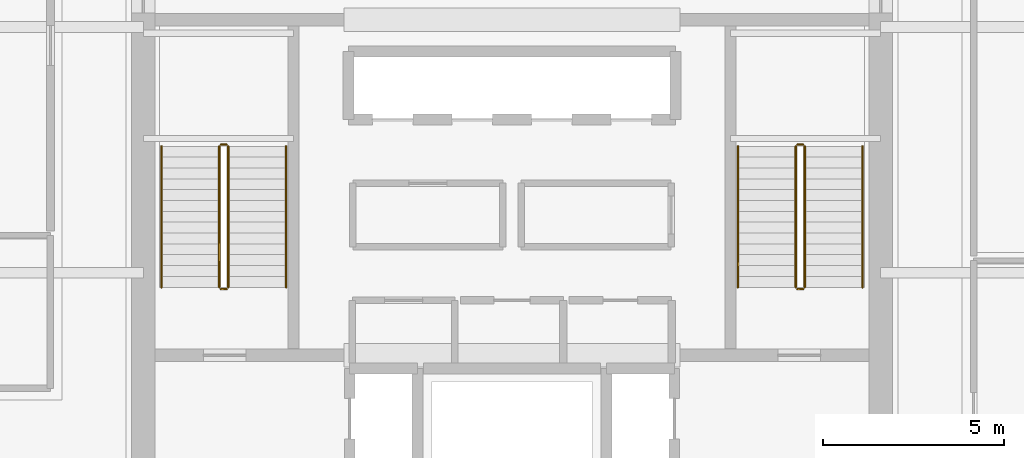
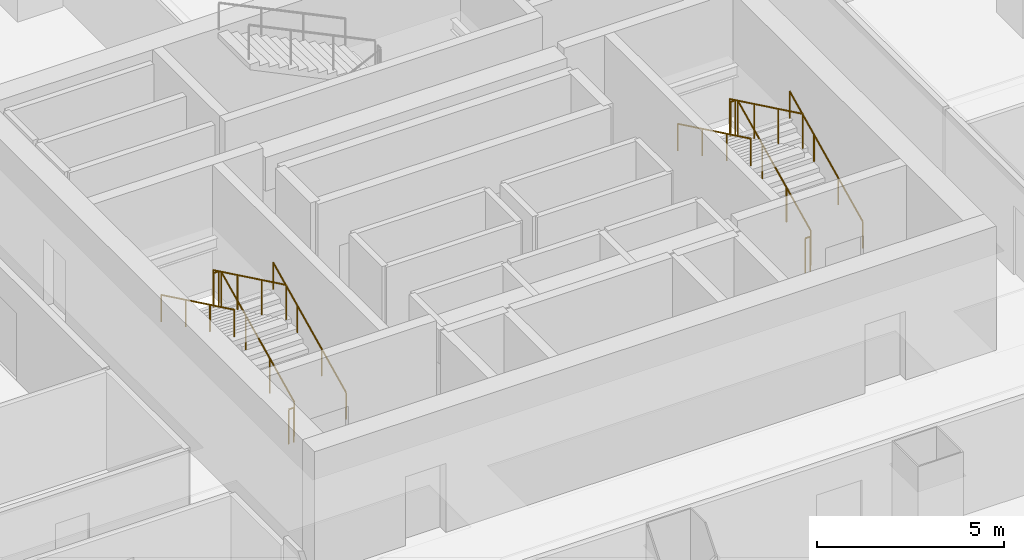
# One storey, part 34 of 37: 12 railings.
"""IFC4 building model written with IfcOpenShell, lengths in metres."""

from ifc_helpers import new_model, si_unit, direction, frame, origin, origin_2d, place, context, subcontext, project, spatial, circle, extrude, material, type_object, element, save


model = new_model("IFC4")

# Units and contexts
model_context = context("Model", 3, precision=1e-05, world=origin(), true_north=direction((0.0, 1.0)))
body_context = subcontext(model_context, "Body", "Model", "MODEL_VIEW")
ifc_project = project(units=[si_unit("LENGTHUNIT", "METRE"), si_unit("AREAUNIT", "SQUARE_METRE"), si_unit("VOLUMEUNIT", "CUBIC_METRE"), si_unit("PLANEANGLEUNIT", "RADIAN"), si_unit("MASSUNIT", "GRAM", prefix="KILO")], contexts=[model_context])

# Site, building, storey
site_placement = place(None, origin())
site = spatial("IfcSite", under=ifc_project, at=site_placement, CompositionType="ELEMENT")
building_placement = place(site_placement, origin())
building = spatial("IfcBuilding", under=site, at=building_placement, Name="Punatoya Terracotta Tower", CompositionType="ELEMENT")
storey_placement = place(building_placement, frame((0.0, 0.0, 224.85009765625)))
storey = spatial("IfcBuildingStorey", under=building, at=storey_placement, Name="L53", CompositionType="ELEMENT", Elevation=224.85009765625)

# Railings
ifc_material = material(Name="Steel S355", Category="steel")
railing_type_1 = type_object("IfcRailingType", Name="RLG-GRD-1150", PredefinedType="GUARDRAIL", material=ifc_material)
railing_1_placement = place(storey_placement, frame((-7.85009765625, -3.800048828125, 0.14453125)))
element("IfcRailing", 1, at=railing_1_placement, inside=storey, type_object=railing_type_1, Name="L53 ST-1 stair guard 1", PredefinedType="GUARDRAIL", context=body_context, shape_type="SweptSolid", body=[
    extrude(circle(Radius=0.02392578125, at=origin_2d()), frame((0.0, 0.0, 1.1259765625), z_axis=(0.0, 0.900773802044, 0.434288564841), x_axis=(-1.0, 0.0, 0.0)), (0.0, 0.0, 1.0), 4.329833984375),
    extrude(circle(Radius=0.02099609375, at=origin_2d()), origin(), (0.0, 0.0, 1.0), 1.101806640625),
    extrude(circle(Radius=0.02099609375, at=origin_2d()), frame((0.0, 1.300048828125, 0.626708984375)), (0.0, 0.0, 1.0), 1.101806640625),
    extrude(circle(Radius=0.02099609375, at=origin_2d()), frame((0.0, 2.60009765625, 1.253662109375)), (0.0, 0.0, 1.0), 1.101806640625),
    extrude(circle(Radius=0.02099609375, at=origin_2d()), frame((0.0, 3.900146484375, 1.88037109375)), (0.0, 0.0, 1.0), 1.101806640625),
])
railing_2_placement = place(storey_placement, frame((-7.89990234375, 0.14990234375, 2.02490234375)))
element("IfcRailing", 2, at=railing_2_placement, inside=storey, type_object=railing_type_1, Name="L53 ST-1 stair guard 2", PredefinedType="GUARDRAIL", context=body_context, shape_type="SweptSolid", body=[
    extrude(circle(Radius=0.02392578125, at=origin_2d()), frame((0.0, 0.0, 1.1259765625), z_axis=(-1.0, 0.0, 0.0), x_axis=(0.0, -1.0, 0.0)), (0.0, 0.0, 1.0), 0.150146484375),
    extrude(circle(Radius=0.02099609375, at=origin_2d()), origin(), (0.0, 0.0, 1.0), 1.101806640625),
    extrude(circle(Radius=0.02099609375, at=origin_2d()), frame((-0.150146484375, 0.0, 0.0)), (0.0, 0.0, 1.0), 1.101806640625),
])
railing_3_placement = place(storey_placement, frame((-8.10009765625, 0.10009765625, 2.16943359375)))
element("IfcRailing", 3, at=railing_3_placement, inside=storey, type_object=railing_type_1, Name="L53 ST-1 stair guard 3", PredefinedType="GUARDRAIL", context=body_context, shape_type="SweptSolid", body=[
    extrude(circle(Radius=0.02392578125, at=origin_2d()), frame((0.0, 0.0, 1.1259765625), z_axis=(0.0, -0.900773802044, 0.434288564841), x_axis=(1.0, 0.0, 0.0)), (0.0, 0.0, 1.0), 4.329833984375),
    extrude(circle(Radius=0.02099609375, at=origin_2d()), origin(), (0.0, 0.0, 1.0), 1.101806640625),
    extrude(circle(Radius=0.02099609375, at=origin_2d()), frame((0.0, -1.300048828125, 0.626708984375)), (0.0, 0.0, 1.0), 1.101806640625),
    extrude(circle(Radius=0.02099609375, at=origin_2d()), frame((0.0, -2.60009765625, 1.253662109375)), (0.0, 0.0, 1.0), 1.101806640625),
    extrude(circle(Radius=0.02099609375, at=origin_2d()), frame((0.0, -3.900146484375, 1.88037109375)), (0.0, 0.0, 1.0), 1.101806640625),
])
railing_4_placement = place(storey_placement, frame((-7.89990234375, -3.85009765625, 0.0)))
element("IfcRailing", 4, at=railing_4_placement, inside=storey, type_object=railing_type_1, Name="L53 ST-1 stair guard 4", PredefinedType="GUARDRAIL", context=body_context, shape_type="SweptSolid", body=[
    extrude(circle(Radius=0.02392578125, at=origin_2d()), frame((0.0, 0.0, 1.1259765625), z_axis=(-1.0, 0.0, 0.0), x_axis=(0.0, -1.0, 0.0)), (0.0, 0.0, 1.0), 0.150146484375),
    extrude(circle(Radius=0.02099609375, at=origin_2d()), origin(), (0.0, 0.0, 1.0), 1.101806640625),
    extrude(circle(Radius=0.02099609375, at=origin_2d()), frame((-0.150146484375, 0.0, 0.0)), (0.0, 0.0, 1.0), 1.101806640625),
])
railing_5_placement = place(storey_placement, frame((8.10009765625, -3.800048828125, 0.14453125)))
element("IfcRailing", 5, at=railing_5_placement, inside=storey, type_object=railing_type_1, Name="L53 ST-2 stair guard 1", PredefinedType="GUARDRAIL", context=body_context, shape_type="SweptSolid", body=[
    extrude(circle(Radius=0.02392578125, at=origin_2d()), frame((0.0, 0.0, 1.1259765625), z_axis=(0.0, 0.900773802044, 0.434288564841), x_axis=(-1.0, 0.0, 0.0)), (0.0, 0.0, 1.0), 4.329833984375),
    extrude(circle(Radius=0.02099609375, at=origin_2d()), origin(), (0.0, 0.0, 1.0), 1.101806640625),
    extrude(circle(Radius=0.02099609375, at=origin_2d()), frame((0.0, 1.300048828125, 0.626708984375)), (0.0, 0.0, 1.0), 1.101806640625),
    extrude(circle(Radius=0.02099609375, at=origin_2d()), frame((0.0, 2.60009765625, 1.253662109375)), (0.0, 0.0, 1.0), 1.101806640625),
    extrude(circle(Radius=0.02099609375, at=origin_2d()), frame((0.0, 3.900146484375, 1.88037109375)), (0.0, 0.0, 1.0), 1.101806640625),
])
railing_6_placement = place(storey_placement, frame((8.050048828125, 0.14990234375, 2.02490234375)))
element("IfcRailing", 6, at=railing_6_placement, inside=storey, type_object=railing_type_1, Name="L53 ST-2 stair guard 2", PredefinedType="GUARDRAIL", context=body_context, shape_type="SweptSolid", body=[
    extrude(circle(Radius=0.02392578125, at=origin_2d()), frame((0.0, 0.0, 1.1259765625), z_axis=(-1.0, 0.0, 0.0), x_axis=(0.0, -1.0, 0.0)), (0.0, 0.0, 1.0), 0.150146484375),
    extrude(circle(Radius=0.02099609375, at=origin_2d()), origin(), (0.0, 0.0, 1.0), 1.101806640625),
    extrude(circle(Radius=0.02099609375, at=origin_2d()), frame((-0.150146484375, 0.0, 0.0)), (0.0, 0.0, 1.0), 1.101806640625),
])
railing_7_placement = place(storey_placement, frame((7.85009765625, 0.10009765625, 2.16943359375)))
element("IfcRailing", 7, at=railing_7_placement, inside=storey, type_object=railing_type_1, Name="L53 ST-2 stair guard 3", PredefinedType="GUARDRAIL", context=body_context, shape_type="SweptSolid", body=[
    extrude(circle(Radius=0.02392578125, at=origin_2d()), frame((0.0, 0.0, 1.1259765625), z_axis=(0.0, -0.900773802044, 0.434288564841), x_axis=(1.0, 0.0, 0.0)), (0.0, 0.0, 1.0), 4.329833984375),
    extrude(circle(Radius=0.02099609375, at=origin_2d()), origin(), (0.0, 0.0, 1.0), 1.101806640625),
    extrude(circle(Radius=0.02099609375, at=origin_2d()), frame((0.0, -1.300048828125, 0.626708984375)), (0.0, 0.0, 1.0), 1.101806640625),
    extrude(circle(Radius=0.02099609375, at=origin_2d()), frame((0.0, -2.60009765625, 1.253662109375)), (0.0, 0.0, 1.0), 1.101806640625),
    extrude(circle(Radius=0.02099609375, at=origin_2d()), frame((0.0, -3.900146484375, 1.88037109375)), (0.0, 0.0, 1.0), 1.101806640625),
])
railing_8_placement = place(storey_placement, frame((8.050048828125, -3.85009765625, 0.0)))
element("IfcRailing", 8, at=railing_8_placement, inside=storey, type_object=railing_type_1, Name="L53 ST-2 stair guard 4", PredefinedType="GUARDRAIL", context=body_context, shape_type="SweptSolid", body=[
    extrude(circle(Radius=0.02392578125, at=origin_2d()), frame((0.0, 0.0, 1.1259765625), z_axis=(-1.0, 0.0, 0.0), x_axis=(0.0, -1.0, 0.0)), (0.0, 0.0, 1.0), 0.150146484375),
    extrude(circle(Radius=0.02099609375, at=origin_2d()), origin(), (0.0, 0.0, 1.0), 1.101806640625),
    extrude(circle(Radius=0.02099609375, at=origin_2d()), frame((-0.150146484375, 0.0, 0.0)), (0.0, 0.0, 1.0), 1.101806640625),
])
railing_type_2 = type_object("IfcRailingType", Name="RLG-HND-900", PredefinedType="HANDRAIL", material=ifc_material)
railing_9_placement = place(storey_placement, frame((-6.25, -3.800048828125, 0.14453125)))
element("IfcRailing", 9, at=railing_9_placement, inside=storey, type_object=railing_type_2, Name="L53 ST-1 stair handrail 1", PredefinedType="HANDRAIL", context=body_context, shape_type="SweptSolid", body=[
    extrude(circle(Radius=0.02392578125, at=origin_2d()), frame((0.0, 0.0, 0.8759765625), z_axis=(0.0, 0.900773802044, 0.434288564841), x_axis=(-1.0, 0.0, 0.0)), (0.0, 0.0, 1.0), 4.329833984375),
    extrude(circle(Radius=0.02099609375, at=origin_2d()), origin(), (0.0, 0.0, 1.0), 0.851806640625),
    extrude(circle(Radius=0.02099609375, at=origin_2d()), frame((0.0, 1.300048828125, 0.626708984375)), (0.0, 0.0, 1.0), 0.851806640625),
    extrude(circle(Radius=0.02099609375, at=origin_2d()), frame((0.0, 2.60009765625, 1.253662109375)), (0.0, 0.0, 1.0), 0.851806640625),
    extrude(circle(Radius=0.02099609375, at=origin_2d()), frame((0.0, 3.900146484375, 1.88037109375)), (0.0, 0.0, 1.0), 0.851806640625),
])
railing_10_placement = place(storey_placement, frame((-9.699951171875, 0.10009765625, 2.16943359375)))
element("IfcRailing", 10, at=railing_10_placement, inside=storey, type_object=railing_type_2, Name="L53 ST-1 stair handrail 2", PredefinedType="HANDRAIL", context=body_context, shape_type="SweptSolid", body=[
    extrude(circle(Radius=0.02392578125, at=origin_2d()), frame((0.0, 0.0, 0.8759765625), z_axis=(0.0, -0.900773802044, 0.434288564841), x_axis=(1.0, 0.0, 0.0)), (0.0, 0.0, 1.0), 4.329833984375),
    extrude(circle(Radius=0.02099609375, at=origin_2d()), origin(), (0.0, 0.0, 1.0), 0.851806640625),
    extrude(circle(Radius=0.02099609375, at=origin_2d()), frame((0.0, -1.300048828125, 0.626708984375)), (0.0, 0.0, 1.0), 0.851806640625),
    extrude(circle(Radius=0.02099609375, at=origin_2d()), frame((0.0, -2.60009765625, 1.253662109375)), (0.0, 0.0, 1.0), 0.851806640625),
    extrude(circle(Radius=0.02099609375, at=origin_2d()), frame((0.0, -3.900146484375, 1.88037109375)), (0.0, 0.0, 1.0), 0.851806640625),
])
railing_11_placement = place(storey_placement, frame((9.699951171875, -3.800048828125, 0.14453125)))
element("IfcRailing", 11, at=railing_11_placement, inside=storey, type_object=railing_type_2, Name="L53 ST-2 stair handrail 1", PredefinedType="HANDRAIL", context=body_context, shape_type="SweptSolid", body=[
    extrude(circle(Radius=0.02392578125, at=origin_2d()), frame((0.0, 0.0, 0.8759765625), z_axis=(0.0, 0.900773802044, 0.434288564841), x_axis=(-1.0, 0.0, 0.0)), (0.0, 0.0, 1.0), 4.329833984375),
    extrude(circle(Radius=0.02099609375, at=origin_2d()), origin(), (0.0, 0.0, 1.0), 0.851806640625),
    extrude(circle(Radius=0.02099609375, at=origin_2d()), frame((0.0, 1.300048828125, 0.626708984375)), (0.0, 0.0, 1.0), 0.851806640625),
    extrude(circle(Radius=0.02099609375, at=origin_2d()), frame((0.0, 2.60009765625, 1.253662109375)), (0.0, 0.0, 1.0), 0.851806640625),
    extrude(circle(Radius=0.02099609375, at=origin_2d()), frame((0.0, 3.900146484375, 1.88037109375)), (0.0, 0.0, 1.0), 0.851806640625),
])
railing_12_placement = place(storey_placement, frame((6.25, 0.10009765625, 2.16943359375)))
element("IfcRailing", 12, at=railing_12_placement, inside=storey, type_object=railing_type_2, Name="L53 ST-2 stair handrail 2", PredefinedType="HANDRAIL", context=body_context, shape_type="SweptSolid", body=[
    extrude(circle(Radius=0.02392578125, at=origin_2d()), frame((0.0, 0.0, 0.8759765625), z_axis=(0.0, -0.900773802044, 0.434288564841), x_axis=(1.0, 0.0, 0.0)), (0.0, 0.0, 1.0), 4.329833984375),
    extrude(circle(Radius=0.02099609375, at=origin_2d()), origin(), (0.0, 0.0, 1.0), 0.851806640625),
    extrude(circle(Radius=0.02099609375, at=origin_2d()), frame((0.0, -1.300048828125, 0.626708984375)), (0.0, 0.0, 1.0), 0.851806640625),
    extrude(circle(Radius=0.02099609375, at=origin_2d()), frame((0.0, -2.60009765625, 1.253662109375)), (0.0, 0.0, 1.0), 0.851806640625),
    extrude(circle(Radius=0.02099609375, at=origin_2d()), frame((0.0, -3.900146484375, 1.88037109375)), (0.0, 0.0, 1.0), 0.851806640625),
])

save(model, "model.ifc")
